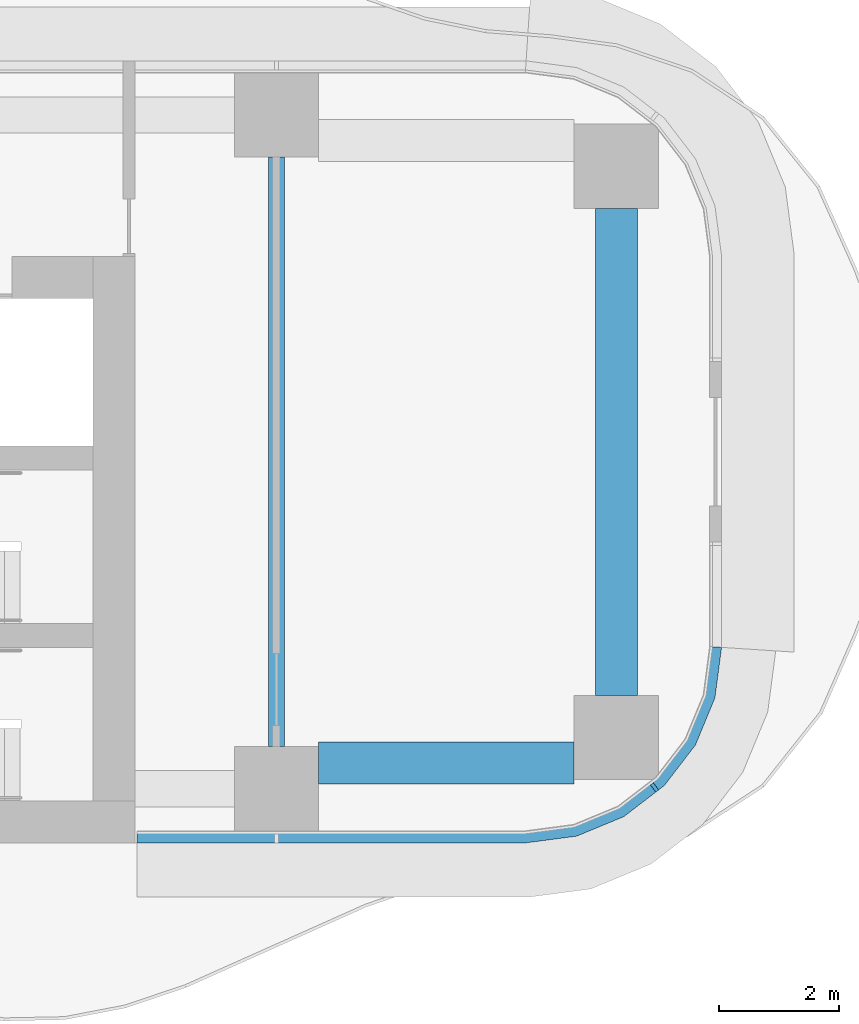
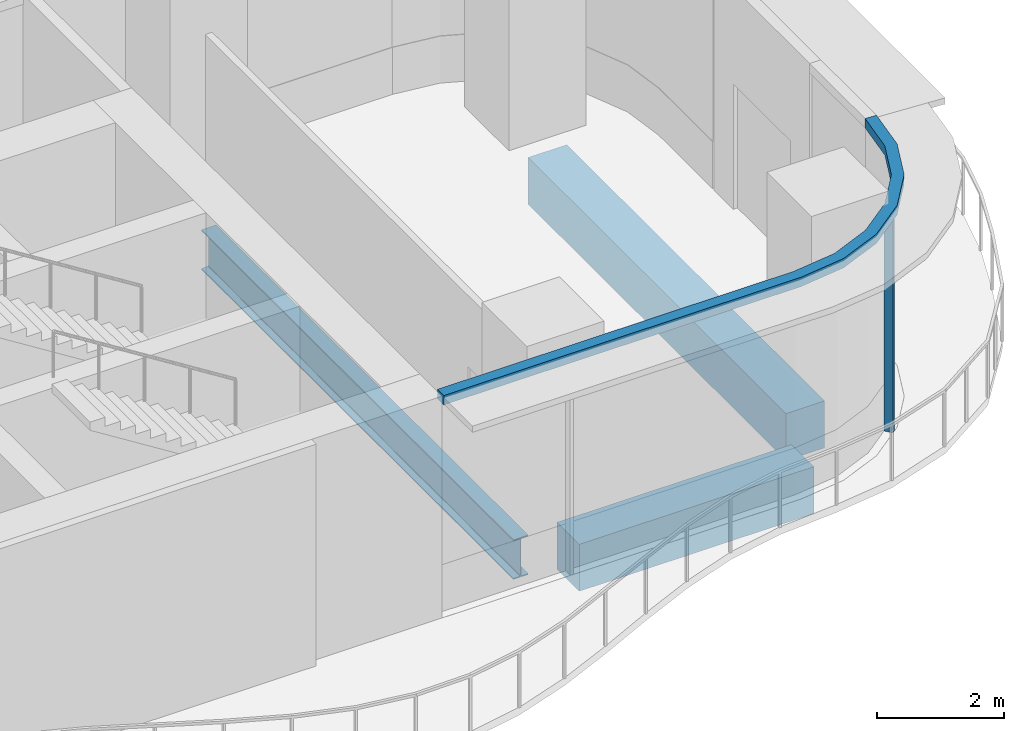
# One storey, part 7 of 22: 3 beams, 2 members, 1 element without a shape of its own.
"""IFC4 building model written with IfcOpenShell, lengths in metres."""

import ifcopenshell
import ifcopenshell.guid

model = None  # the IFC model being written
_history = None  # IfcOwnerHistory: only IFC2X3 demands one
_inside = {}  # id of a spatial element -> (the spatial element, [elements in it])
_under = {}  # id of a project, library or spatial element -> (it, [spatial elements below it])
_declared = {}  # id of a project -> (the project, [libraries it declares])
_typed = {}  # id of a type object -> (the type object, [elements of that type])
_made_of = {}  # id of a material, layer set ... -> (it, [elements and type objects made of it])


def new_model(schema):
    """Start an empty IFC model of exactly this schema.

    Asked for "IFC4X3", IfcOpenShell would pick the latest addendum, in which some entities
    have other attributes; the version numbers below select the first issue.
    IFC2X3 requires an IfcOwnerHistory on every rooted entity: one is made here for all.
    """
    global model, _history
    if schema == "IFC4X3":
        model = ifcopenshell.file(schema_version=(4, 3, 0, 0))
    else:
        model = ifcopenshell.file(schema=schema)
    _inside.clear()
    _under.clear()
    _declared.clear()
    _typed.clear()
    _made_of.clear()
    _history = None
    if model.schema == "IFC2X3":
        org = make("IfcOrganization", Name="unknown")
        user = make(
            "IfcPersonAndOrganization",
            ThePerson=make("IfcPerson", FamilyName="unknown"),
            TheOrganization=org,
        )
        app = make(
            "IfcApplication",
            ApplicationDeveloper=org,
            Version="unknown",
            ApplicationFullName="unknown",
            ApplicationIdentifier="unknown",
        )
        _history = make(
            "IfcOwnerHistory",
            OwningUser=user,
            OwningApplication=app,
            ChangeAction="ADDED",
            CreationDate=0,
        )
    return model


def make(cls, **values):
    """One entity of the class cls with the attributes given. An attribute that is None is left unset."""
    return model.create_entity(
        cls, **{name: value for name, value in values.items() if value is not None}
    )


def rooted(cls, **values):
    """An entity with a GlobalId (a new one), such as an element, a storey or a relation."""
    return make(cls, GlobalId=ifcopenshell.guid.new(), OwnerHistory=_history, **values)


def si_unit(unit_type, name, prefix=None):
    """IfcSIUnit, for example si_unit("LENGTHUNIT", "METRE", prefix="MILLI")."""
    return make("IfcSIUnit", UnitType=unit_type, Prefix=prefix, Name=name)


def assignment(units):
    """IfcUnitAssignment: the units of a project."""
    return None if units is None else make("IfcUnitAssignment", Units=units)


def point(xyz):
    """IfcCartesianPoint."""
    return None if xyz is None else make("IfcCartesianPoint", Coordinates=xyz)


def direction(xyz):
    """IfcDirection."""
    return None if xyz is None else make("IfcDirection", DirectionRatios=xyz)


def frame(location, z_axis=None, x_axis=None):
    """IfcAxis2Placement3D, a coordinate frame: its origin and axes. An axis left out is left unset."""
    return make(
        "IfcAxis2Placement3D",
        Location=point(location),
        Axis=direction(z_axis),
        RefDirection=direction(x_axis),
    )


def frame_2d(location, x_axis=None):
    """IfcAxis2Placement2D, a coordinate frame in the plane: its origin and x axis."""
    return make(
        "IfcAxis2Placement2D", Location=point(location), RefDirection=direction(x_axis)
    )


def origin():
    """The frame at (0, 0, 0) with its axes left unset."""
    return frame((0.0, 0.0, 0.0))


def origin_2d():
    """The frame at (0, 0) in the plane with its x axis left unset."""
    return frame_2d((0.0, 0.0))


def place(relative_to, where):
    """IfcLocalPlacement: puts the frame where relative to a parent placement (None: the world)."""
    return make(
        "IfcLocalPlacement", PlacementRelTo=relative_to, RelativePlacement=where
    )


def context(
    kind, dimensions, precision=None, world=None, true_north=None, identifier=None
):
    """IfcGeometricRepresentationContext, for example the 3D "Model" context."""
    return make(
        "IfcGeometricRepresentationContext",
        ContextIdentifier=identifier,
        ContextType=kind,
        CoordinateSpaceDimension=dimensions,
        Precision=precision,
        WorldCoordinateSystem=world,
        TrueNorth=true_north,
    )


def subcontext(parent, identifier, kind, view, scale=None):
    """IfcGeometricRepresentationSubContext, for example "Body" below "Model"."""
    return make(
        "IfcGeometricRepresentationSubContext",
        ContextIdentifier=identifier,
        ContextType=kind,
        ParentContext=parent,
        TargetScale=scale,
        TargetView=view,
    )


def project(units=None, contexts=None):
    """IfcProject with its units and contexts."""
    return rooted(
        "IfcProject",
        Name="project",
        RepresentationContexts=contexts,
        UnitsInContext=assignment(units),
    )


def spatial(cls, under=None, at=None, **own):
    """A site, building, storey or space (cls), placed at a placement, below another one or the project."""
    s = rooted(cls, ObjectPlacement=at, **own)
    if under is not None:
        _under.setdefault(under.id(), (under, []))[1].append(s)
    return s


def polyline(points):
    """IfcPolyline through the points."""
    return make("IfcPolyline", Points=[point(p) for p in points])


def profile(cls, at=None, kind="AREA", **sizes):
    """A parametric profile (cls). Its sizes go by their IFC names, for example OverallWidth=200.0."""
    return make(cls, ProfileType=kind, Position=at, **sizes)


def rectangle(**sizes):
    """IfcRectangleProfileDef."""
    return profile("IfcRectangleProfileDef", **sizes)


def i_section(**sizes):
    """IfcIShapeProfileDef."""
    return profile("IfcIShapeProfileDef", **sizes)


def outline(outer, holes=None, kind="AREA"):
    """IfcArbitraryClosedProfileDef: a profile drawn as a closed curve; with holes, ...WithVoids."""
    if holes is None:
        return make("IfcArbitraryClosedProfileDef", ProfileType=kind, OuterCurve=outer)
    return make(
        "IfcArbitraryProfileDefWithVoids",
        ProfileType=kind,
        OuterCurve=outer,
        InnerCurves=holes,
    )


def extrude(swept, where, along, depth):
    """IfcExtrudedAreaSolid: the profile swept, set in the frame where, extruded along a direction by depth."""
    return make(
        "IfcExtrudedAreaSolid",
        SweptArea=swept,
        Position=where,
        ExtrudedDirection=direction(along),
        Depth=depth,
    )


def shape(context_of_items, identifier, shape_type, items):
    """IfcShapeRepresentation: the items that make up one representation, for example the "Body"."""
    return make(
        "IfcShapeRepresentation",
        ContextOfItems=context_of_items,
        RepresentationIdentifier=identifier,
        RepresentationType=shape_type,
        Items=items,
    )


def source(mapping_origin, context_of_items, identifier, shape_type, items):
    """IfcRepresentationMap: a shape defined once, which mapped items show again and again."""
    return make(
        "IfcRepresentationMap",
        MappingOrigin=mapping_origin,
        MappedRepresentation=shape(context_of_items, identifier, shape_type, items),
    )


def transform(
    local_origin,
    x_axis=None,
    y_axis=None,
    z_axis=None,
    scale=None,
    scale2=None,
    scale3=None,
    uniform=True,
):
    """IfcCartesianTransformationOperator3D, or its non-uniform kind. x_axis, y_axis, z_axis: its Axis1, 2, 3."""
    if uniform:
        return make(
            "IfcCartesianTransformationOperator3D",
            Axis1=direction(x_axis),
            Axis2=direction(y_axis),
            LocalOrigin=point(local_origin),
            Scale=scale,
            Axis3=direction(z_axis),
        )
    return make(
        "IfcCartesianTransformationOperator3DnonUniform",
        Axis1=direction(x_axis),
        Axis2=direction(y_axis),
        LocalOrigin=point(local_origin),
        Scale=scale,
        Axis3=direction(z_axis),
        Scale2=scale2,
        Scale3=scale3,
    )


def mapped(mapping_source, mapping_target):
    """IfcMappedItem: shows the shape of a source again, moved by a transform."""
    return make(
        "IfcMappedItem", MappingSource=mapping_source, MappingTarget=mapping_target
    )


def material(Name=None, Category=None):
    """IfcMaterial."""
    return make("IfcMaterial", Name=Name, Category=Category)


def layer(
    of_material, thickness, ventilated=None, Name=None, Category=None, Priority=None
):
    """IfcMaterialLayer: one layer of a wall or slab, of a material (None: an air gap)."""
    return make(
        "IfcMaterialLayer",
        Material=of_material,
        LayerThickness=thickness,
        IsVentilated=ventilated,
        Name=Name,
        Category=Category,
        Priority=Priority,
    )


def layer_set(layers, Name=None):
    """IfcMaterialLayerSet."""
    return make("IfcMaterialLayerSet", MaterialLayers=layers, LayerSetName=Name)


def material_profile(
    of_material, cross_section, Name=None, Category=None, Priority=None
):
    """IfcMaterialProfile: a cross section and its material."""
    return make(
        "IfcMaterialProfile",
        Name=Name,
        Material=of_material,
        Profile=cross_section,
        Priority=Priority,
        Category=Category,
    )


def profile_set(profiles, Name=None, composite=None):
    """IfcMaterialProfileSet."""
    return make(
        "IfcMaterialProfileSet",
        Name=Name,
        MaterialProfiles=profiles,
        CompositeProfile=composite,
    )


def made_of(thing, what):
    """Note that an element or type object is made of a material, layer set ...; save() writes the relation."""
    if what is not None:
        _made_of.setdefault(what.id(), (what, []))[1].append(thing)
    return thing


def type_object(cls, material=None, **own):
    """A type object (cls), such as IfcWallType, which elements share."""
    return made_of(rooted(cls, **own), material)


def element(
    cls,
    number,
    at=None,
    inside=None,
    cuts=None,
    type_object=None,
    material=None,
    context=None,
    identifier="Body",
    shape_type=None,
    held_by="IfcProductDefinitionShape",
    body=None,
    shapes=None,
    **own,
):
    """One element of the class cls, such as IfcWall. Its Tag is "e" and its number.

    at: its placement. inside: the storey or other place that contains it. cuts: it is an
    opening in that element (IfcRelVoidsElement). A single representation is given by context,
    identifier, shape_type and body (its items); several are given by shapes. held_by: the class
    of the entity that holds the representations. save() writes the other relations.
    """
    e = rooted(cls, Tag="e%d" % number, ObjectPlacement=at, **own)
    if body is not None:
        shapes = [shape(context, identifier, shape_type, body)]
    if shapes is not None:
        e.Representation = make(held_by, Representations=shapes)
    if inside is not None:
        _inside.setdefault(inside.id(), (inside, []))[1].append(e)
    if cuts is not None:
        rooted(
            "IfcRelVoidsElement", RelatingBuildingElement=cuts, RelatedOpeningElement=e
        )
    if type_object is not None:
        _typed.setdefault(type_object.id(), (type_object, []))[1].append(e)
    return made_of(e, material)


def aggregate(whole, parts):
    """IfcRelAggregates: a whole, such as a stair, and the parts it consists of."""
    return rooted("IfcRelAggregates", RelatingObject=whole, RelatedObjects=parts)


def save(model, path):
    """Write the relations noted so far, then the file.

    IfcRelAggregates (storeys below a building ...), IfcRelContainedInSpatialStructure (elements
    in a storey), IfcRelDefinesByType, IfcRelAssociatesMaterial and IfcRelDeclares: one each for
    every whole, place, type object, material and project.
    """
    for whole, parts in _under.values():
        aggregate(whole, parts)
    for where, things in _inside.values():
        rooted(
            "IfcRelContainedInSpatialStructure",
            RelatedElements=things,
            RelatingStructure=where,
        )
    for kind, things in _typed.values():
        rooted("IfcRelDefinesByType", RelatedObjects=things, RelatingType=kind)
    for what, things in _made_of.values():
        rooted("IfcRelAssociatesMaterial", RelatedObjects=things, RelatingMaterial=what)
    for by, libraries in _declared.values():
        rooted("IfcRelDeclares", RelatingContext=by, RelatedDefinitions=libraries)
    model.write(path)


model = new_model("IFC4")

# Units and contexts
model_context = context("Model", 3, precision=1e-05, world=origin(), true_north=direction((0.0, 1.0)))
body_context = subcontext(model_context, "Body", "Model", "MODEL_VIEW")
ifc_project = project(units=[si_unit("LENGTHUNIT", "METRE"), si_unit("AREAUNIT", "SQUARE_METRE"), si_unit("VOLUMEUNIT", "CUBIC_METRE"), si_unit("PLANEANGLEUNIT", "RADIAN"), si_unit("MASSUNIT", "GRAM", prefix="KILO")], contexts=[model_context])

# Site, building, storey
site_placement = place(None, origin())
site = spatial("IfcSite", under=ifc_project, at=site_placement, CompositionType="ELEMENT")
building_placement = place(site_placement, origin())
building = spatial("IfcBuilding", under=site, at=building_placement, Name="Trellis Farm Tower", CompositionType="ELEMENT")
storey_placement = place(building_placement, frame((0.0, 0.0, 43.0)))
storey = spatial("IfcBuildingStorey", under=building, at=storey_placement, Name="L08", CompositionType="ELEMENT", Elevation=43.0)

# Beams
ifc_material_1 = material(Name="Steel S355", Category="steel")
ifc_material_profile_1 = material_profile(ifc_material_1, i_section(OverallWidth=0.2666015625, OverallDepth=0.76220703125, WebThickness=0.014404296875, FlangeThickness=0.021484375, FilletRadius=0.0166015625, at=origin_2d()), Name="UB 762x267x173")
ifc_profile_set_1 = profile_set([ifc_material_profile_1], Name="Steel S355")
beam_type_1 = type_object("IfcBeamType", Name="UB 762x267x173", PredefinedType="BEAM", material=ifc_profile_set_1)
shared_shape_1 = source(origin(), body_context, "Body", "SweptSolid", [
    extrude(i_section(OverallWidth=0.2666015625, OverallDepth=0.76220703125, WebThickness=0.014404296875, FlangeThickness=0.021484375, FilletRadius=0.0166015625, at=origin_2d()), origin(), (0.0, 0.0, 1.0), 9.7998046875),
])
beam_1_placement = place(storey_placement, frame((25.10009765625, -4.89990234375, -0.631103515625), z_axis=(0.0, 1.0, 0.0), x_axis=(-1.0, 0.0, 0.0)))
element("IfcBeam", 1, at=beam_1_placement, inside=storey, type_object=beam_type_1, Name="Girder", PredefinedType="BEAM", context=body_context, shape_type="MappedRepresentation", body=[
    mapped(shared_shape_1, transform((0.0, 0.0, 0.0))),
])
ifc_material_2 = material(Name="Concrete C60/75", Category="concrete")
ifc_material_profile_2 = material_profile(ifc_material_2, rectangle(XDim=0.699951171875, YDim=0.89990234375, at=origin_2d()), Name="RC spandrel beam 700x900 C60/75")
ifc_profile_set_2 = profile_set([ifc_material_profile_2], Name="Concrete C60/75")
beam_type_2 = type_object("IfcBeamType", Name="RC spandrel beam 700x900 C60/75", PredefinedType="SPANDREL", material=ifc_profile_set_2)
shared_shape_2 = source(origin(), body_context, "Body", "SweptSolid", [
    extrude(rectangle(XDim=0.699951171875, YDim=0.89990234375, at=origin_2d()), origin(), (0.0, 0.0, 1.0), 4.25),
])
beam_2_placement = place(storey_placement, frame((25.800048828125, -5.175048828125, -0.699951171875), z_axis=(1.0, 0.0, 0.0), x_axis=(0.0, 1.0, 0.0)))
element("IfcBeam", 2, at=beam_2_placement, inside=storey, type_object=beam_type_2, Name="Girder", PredefinedType="SPANDREL", context=body_context, shape_type="MappedRepresentation", body=[
    mapped(shared_shape_2, transform((0.0, 0.0, 0.0))),
])
shared_shape_3 = source(origin(), body_context, "Body", "SweptSolid", [
    extrude(rectangle(XDim=0.699951171875, YDim=0.89990234375, at=origin_2d()), origin(), (0.0, 0.0, 1.0), 8.10009765625),
])
beam_3_placement = place(storey_placement, frame((30.75, -4.050048828125, -0.699951171875), z_axis=(0.0, 1.0, 0.0), x_axis=(-1.0, 0.0, 0.0)))
element("IfcBeam", 3, at=beam_3_placement, inside=storey, type_object=beam_type_2, Name="Girder", PredefinedType="SPANDREL", context=body_context, shape_type="MappedRepresentation", body=[
    mapped(shared_shape_3, transform((0.0, 0.0, 0.0))),
])

# Curtain wall, members
ifc_material_3 = material(Name="Aluminium and glass curtain wall", Category="aluminium")
ifc_layer_1 = layer(ifc_material_3, 0.18994140625)
ifc_layer_set_1 = layer_set([ifc_layer_1], Name="RIBBON CURTAIN WALL CW1")
curtain_wall_type = type_object("IfcCurtainWallType", Name="RIBBON CURTAIN WALL CW1", PredefinedType="NOTDEFINED", material=ifc_layer_set_1)
curtain_wall_placement = place(storey_placement, origin())
curtain_wall = element("IfcCurtainWall", 4, at=curtain_wall_placement, inside=storey, type_object=curtain_wall_type, Name="CW1 005", PredefinedType="NOTDEFINED")
ifc_material_4 = material(Name="Aluminium extrusion 6063-T6", Category="aluminium")
ifc_material_profile_3 = material_profile(ifc_material_4, rectangle(XDim=0.06005859375, YDim=0.14990234375, at=origin_2d()), Name="MULLION 60x150")
ifc_profile_set_3 = profile_set([ifc_material_profile_3], Name="Aluminium extrusion 6063-T6")
member_type_1 = type_object("IfcMemberType", Name="CW1 MULLION 60x150", PredefinedType="MULLION", material=ifc_profile_set_3)
shared_shape_4 = source(origin(), body_context, "Body", "SweptSolid", [
    extrude(rectangle(XDim=0.06005859375, YDim=0.14990234375, at=origin_2d()), origin(), (0.0, 0.0, 1.0), 4.070068359375),
])
member_1_placement = place(storey_placement, frame((31.385498046875, -5.578369140625, 0.0), z_axis=(0.0, 0.0, 1.0), x_axis=(0.793353340291, 0.608761429009, 0.0)))
member_1 = element("IfcMember", 5, at=member_1_placement, type_object=member_type_1, Name="MU1 005-02", PredefinedType="MULLION", context=body_context, shape_type="MappedRepresentation", body=[
    mapped(shared_shape_4, transform((0.0, 0.0, 0.0))),
])
ifc_layer_2 = layer(ifc_material_4, 0.199951171875)
ifc_layer_set_2 = layer_set([ifc_layer_2], Name="Aluminium extrusion 6063-T6")
member_type_2 = type_object("IfcMemberType", Name="CW1 TRANSOM 200x180", PredefinedType="USERDEFINED", material=ifc_layer_set_2)
shared_shape_5 = source(origin(), body_context, "Body", "SweptSolid", [
    extrude(outline(polyline([(22.780029296875, -6.5), (29.25, -6.5), (30.091064453125, -6.38916015625), (30.875, -6.064697265625), (31.548095703125, -5.548095703125), (32.064697265625, -4.875), (32.38916015625, -4.091064453125), (32.5, -3.25), (32.300048828125, -3.23681640625), (32.1943359375, -4.0390625), (31.889892578125, -4.774169921875), (31.405517578125, -5.405517578125), (30.774169921875, -5.889892578125), (30.0390625, -6.1943359375), (29.23681640625, -6.300048828125), (22.780029296875, -6.300048828125), (22.780029296875, -6.5)])), origin(), (0.0, 0.0, 1.0), 0.179931640625),
])
member_2_placement = place(storey_placement, frame((0.0, 0.0, 4.070068359375)))
member_2 = element("IfcMember", 6, at=member_2_placement, type_object=member_type_2, Name="TR1 005", ObjectType="TRANSOM", PredefinedType="USERDEFINED", context=body_context, shape_type="MappedRepresentation", body=[
    mapped(shared_shape_5, transform((0.0, 0.0, 0.0))),
])
aggregate(curtain_wall, [member_1, member_2])

save(model, "model.ifc")
